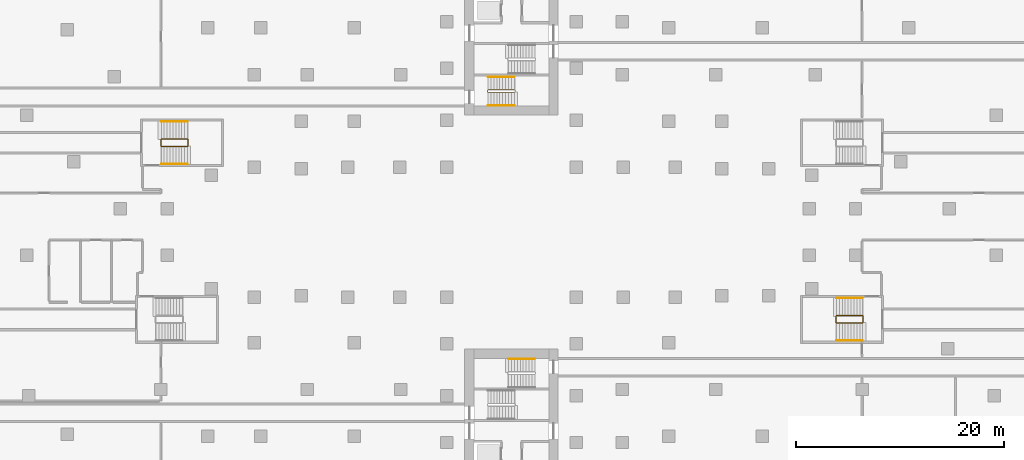
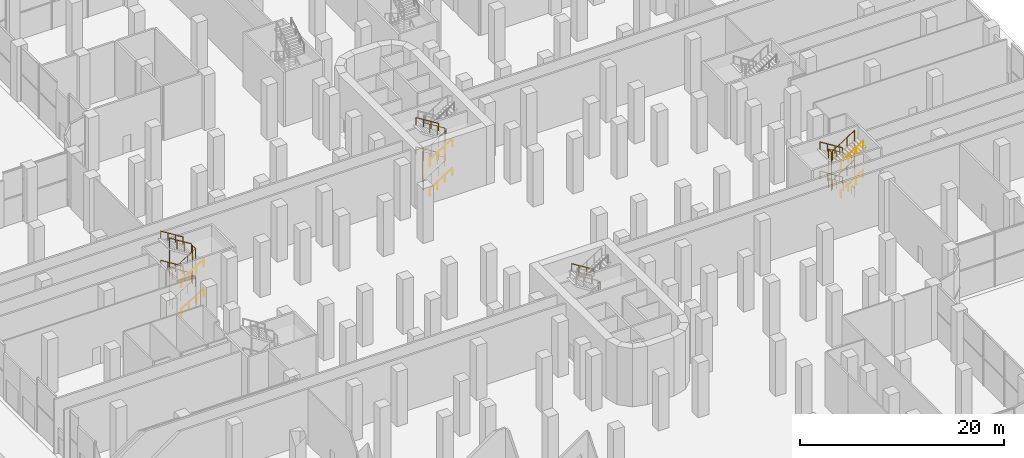
# One storey, part 31 of 34: 20 railings.
"""IFC4 building model written with IfcOpenShell, lengths in metres."""

from ifc_helpers import new_model, si_unit, direction, frame, origin, origin_2d, place, context, subcontext, project, spatial, circle, extrude, material, type_object, element, save


model = new_model("IFC4")

# Units and contexts
model_context = context("Model", 3, precision=1e-05, world=origin(), true_north=direction((0.0, 1.0)))
body_context = subcontext(model_context, "Body", "Model", "MODEL_VIEW")
ifc_project = project(units=[si_unit("LENGTHUNIT", "METRE"), si_unit("AREAUNIT", "SQUARE_METRE"), si_unit("VOLUMEUNIT", "CUBIC_METRE"), si_unit("PLANEANGLEUNIT", "RADIAN"), si_unit("MASSUNIT", "GRAM", prefix="KILO")], contexts=[model_context])

# Site, building, storey
site_placement = place(None, origin())
site = spatial("IfcSite", under=ifc_project, at=site_placement, CompositionType="ELEMENT")
building_placement = place(site_placement, origin())
building = spatial("IfcBuilding", under=site, at=building_placement, Name="Zarbagh Exchange Tower", CompositionType="ELEMENT")
storey_placement = place(building_placement, origin())
storey = spatial("IfcBuildingStorey", under=building, at=storey_placement, Name="L00", CompositionType="ELEMENT", Elevation=0.0)

# Railings
ifc_material = material(Name="Stainless steel", Category="steel")
railing_type_1 = type_object("IfcRailingType", Name="Stair guard 1100 mm", PredefinedType="GUARDRAIL", material=ifc_material)
railing_1_placement = place(storey_placement, frame((-2.25, 13.449951171875, 0.175048828125)))
element("IfcRailing", 1, at=railing_1_placement, inside=storey, type_object=railing_type_1, Name="ST2 stair guard 1", PredefinedType="GUARDRAIL", context=body_context, shape_type="SweptSolid", body=[
    extrude(circle(Radius=0.02392578125, at=origin_2d()), frame((0.0, 0.0, 1.076171875), z_axis=(0.848007534815, 0.0, 0.529984170421), x_axis=(0.0, 1.0, 0.0)), (0.0, 0.0, 1.0), 2.9716796875),
    extrude(circle(Radius=0.02392578125, at=origin_2d()), frame((2.52001953125, 0.0, 2.65087890625), z_axis=(0.0, 0.0, 1.0), x_axis=(1.0, 0.0, 0.0)), (0.0, 0.0, 1.0), 3.5),
    extrude(circle(Radius=0.02392578125, at=origin_2d()), frame((2.52001953125, 0.0, 6.15087890625), z_axis=(-0.848007534815, 0.0, -0.529984170421), x_axis=(0.0, -1.0, 0.0)), (0.0, 0.0, 1.0), 2.9716796875),
    extrude(circle(Radius=0.02392578125, at=origin_2d()), frame((0.0, 0.0, 4.576171875), z_axis=(-0.265065253269, 0.265065253269, -0.927081885822), x_axis=(-0.707106781187, -0.707106781187, 0.0)), (0.0, 0.0, 1.0), 0.188720703125),
    extrude(circle(Radius=0.02392578125, at=origin_2d()), frame((-0.050048828125, 0.050048828125, 4.40087890625), z_axis=(0.0, 1.0, 0.0), x_axis=(-1.0, 0.0, 0.0)), (0.0, 0.0, 1.0), 0.14990234375),
    extrude(circle(Radius=0.02392578125, at=origin_2d()), frame((-0.050048828125, 0.199951171875, 4.40087890625), z_axis=(0.0, 0.0, -1.0), x_axis=(1.0, 0.0, 0.0)), (0.0, 0.0, 1.0), 3.5),
    extrude(circle(Radius=0.02392578125, at=origin_2d()), frame((-0.050048828125, 0.199951171875, 0.90087890625), z_axis=(0.0, -1.0, 0.0), x_axis=(1.0, 0.0, 0.0)), (0.0, 0.0, 1.0), 0.14990234375),
    extrude(circle(Radius=0.02392578125, at=origin_2d()), frame((-0.050048828125, 0.050048828125, 0.90087890625), z_axis=(0.014274932499, 0.057030096177, 0.998270401461), x_axis=(-0.970072785993, 0.242814311512, 0.0)), (0.0, 0.0, 1.0), 3.506103515625),
    extrude(circle(Radius=0.02392578125, at=origin_2d()), frame((0.0, 0.25, 4.40087890625), z_axis=(0.848007534815, 0.0, -0.529984170421), x_axis=(0.0, 1.0, 0.0)), (0.0, 0.0, 1.0), 2.9716796875),
    extrude(circle(Radius=0.02392578125, at=origin_2d()), frame((2.52001953125, 0.25, 2.826171875), z_axis=(0.0, 0.0, 1.0), x_axis=(1.0, 0.0, 0.0)), (0.0, 0.0, 1.0), 3.5),
    extrude(circle(Radius=0.02392578125, at=origin_2d()), frame((2.52001953125, 0.25, 6.326171875), z_axis=(-0.848007534815, 0.0, 0.529984170421), x_axis=(0.0, -1.0, 0.0)), (0.0, 0.0, 1.0), 2.9716796875),
    extrude(circle(Radius=0.02099609375, at=origin_2d()), origin(), (0.0, 0.0, 1.0), 1.052001953125),
    extrude(circle(Radius=0.02099609375, at=origin_2d()), frame((0.840087890625, 0.0, 0.52490234375)), (0.0, 0.0, 1.0), 1.052001953125),
    extrude(circle(Radius=0.02099609375, at=origin_2d()), frame((1.679931640625, 0.0, 1.050048828125)), (0.0, 0.0, 1.0), 1.052001953125),
    extrude(circle(Radius=0.02099609375, at=origin_2d()), frame((2.52001953125, 0.0, 1.574951171875)), (0.0, 0.0, 1.0), 1.052001953125),
    extrude(circle(Radius=0.02099609375, at=origin_2d()), frame((2.52001953125, 0.0, 2.74169921875)), (0.0, 0.0, 1.0), 1.052001953125),
    extrude(circle(Radius=0.02099609375, at=origin_2d()), frame((2.52001953125, 0.0, 3.908203125)), (0.0, 0.0, 1.0), 1.052001953125),
    extrude(circle(Radius=0.02099609375, at=origin_2d()), frame((2.52001953125, 0.0, 5.074951171875)), (0.0, 0.0, 1.0), 1.052001953125),
    extrude(circle(Radius=0.02099609375, at=origin_2d()), frame((1.679931640625, 0.0, 4.550048828125)), (0.0, 0.0, 1.0), 1.052001953125),
    extrude(circle(Radius=0.02099609375, at=origin_2d()), frame((0.840087890625, 0.0, 4.02490234375)), (0.0, 0.0, 1.0), 1.052001953125),
    extrude(circle(Radius=0.02099609375, at=origin_2d()), frame((0.0, 0.0, 3.5)), (0.0, 0.0, 1.0), 1.052001953125),
    extrude(circle(Radius=0.02099609375, at=origin_2d()), frame((-0.050048828125, 0.050048828125, 3.324951171875)), (0.0, 0.0, 1.0), 1.052001953125),
    extrude(circle(Radius=0.02099609375, at=origin_2d()), frame((-0.050048828125, 0.199951171875, 3.324951171875)), (0.0, 0.0, 1.0), 1.052001953125),
    extrude(circle(Radius=0.02099609375, at=origin_2d()), frame((-0.050048828125, 0.199951171875, 2.158203125)), (0.0, 0.0, 1.0), 1.052001953125),
    extrude(circle(Radius=0.02099609375, at=origin_2d()), frame((-0.050048828125, 0.199951171875, 0.99169921875)), (0.0, 0.0, 1.0), 1.052001953125),
    extrude(circle(Radius=0.02099609375, at=origin_2d()), frame((-0.050048828125, 0.199951171875, -0.175048828125)), (0.0, 0.0, 1.0), 1.052001953125),
    extrude(circle(Radius=0.02099609375, at=origin_2d()), frame((-0.050048828125, 0.050048828125, -0.175048828125)), (0.0, 0.0, 1.0), 1.052001953125),
    extrude(circle(Radius=0.02099609375, at=origin_2d()), frame((-0.033447265625, 0.11669921875, 0.99169921875)), (0.0, 0.0, 1.0), 1.052001953125),
    extrude(circle(Radius=0.02099609375, at=origin_2d()), frame((-0.0166015625, 0.183349609375, 2.158203125)), (0.0, 0.0, 1.0), 1.052001953125),
    extrude(circle(Radius=0.02099609375, at=origin_2d()), frame((0.0, 0.25, 3.324951171875)), (0.0, 0.0, 1.0), 1.052001953125),
    extrude(circle(Radius=0.02099609375, at=origin_2d()), frame((0.840087890625, 0.25, 2.800048828125)), (0.0, 0.0, 1.0), 1.052001953125),
    extrude(circle(Radius=0.02099609375, at=origin_2d()), frame((1.679931640625, 0.25, 2.27490234375)), (0.0, 0.0, 1.0), 1.052001953125),
    extrude(circle(Radius=0.02099609375, at=origin_2d()), frame((2.52001953125, 0.25, 1.75)), (0.0, 0.0, 1.0), 1.052001953125),
    extrude(circle(Radius=0.02099609375, at=origin_2d()), frame((2.52001953125, 0.25, 2.916748046875)), (0.0, 0.0, 1.0), 1.052001953125),
    extrude(circle(Radius=0.02099609375, at=origin_2d()), frame((2.52001953125, 0.25, 4.083251953125)), (0.0, 0.0, 1.0), 1.052001953125),
    extrude(circle(Radius=0.02099609375, at=origin_2d()), frame((2.52001953125, 0.25, 5.25)), (0.0, 0.0, 1.0), 1.052001953125),
    extrude(circle(Radius=0.02099609375, at=origin_2d()), frame((1.679931640625, 0.25, 5.77490234375)), (0.0, 0.0, 1.0), 1.052001953125),
    extrude(circle(Radius=0.02099609375, at=origin_2d()), frame((0.840087890625, 0.25, 6.300048828125)), (0.0, 0.0, 1.0), 1.052001953125),
    extrude(circle(Radius=0.02099609375, at=origin_2d()), frame((0.0, 0.25, 6.824951171875)), (0.0, 0.0, 1.0), 1.052001953125),
])
railing_2_placement = place(storey_placement, frame((-33.699951171875, 8.25, 0.175048828125)))
element("IfcRailing", 2, at=railing_2_placement, inside=storey, type_object=railing_type_1, Name="PS5 stair guard 1", PredefinedType="GUARDRAIL", context=body_context, shape_type="SweptSolid", body=[
    extrude(circle(Radius=0.02392578125, at=origin_2d()), frame((0.0, 0.0, 1.076171875), z_axis=(0.848007534815, 0.0, 0.529984170421), x_axis=(0.0, 1.0, 0.0)), (0.0, 0.0, 1.0), 2.9716796875),
    extrude(circle(Radius=0.02392578125, at=origin_2d()), frame((2.52001953125, 0.0, 2.65087890625), z_axis=(0.0, 0.0, 1.0), x_axis=(1.0, 0.0, 0.0)), (0.0, 0.0, 1.0), 3.5),
    extrude(circle(Radius=0.02392578125, at=origin_2d()), frame((2.52001953125, 0.0, 6.15087890625), z_axis=(-0.848007534815, 0.0, -0.529984170421), x_axis=(0.0, -1.0, 0.0)), (0.0, 0.0, 1.0), 2.9716796875),
    extrude(circle(Radius=0.02392578125, at=origin_2d()), frame((0.0, 0.0, 4.576171875), z_axis=(-0.265065253269, 0.265065253269, -0.927081885822), x_axis=(-0.707106781187, -0.707106781187, 0.0)), (0.0, 0.0, 1.0), 0.188720703125),
    extrude(circle(Radius=0.02392578125, at=origin_2d()), frame((-0.050048828125, 0.050048828125, 4.40087890625), z_axis=(0.0, 1.0, 0.0), x_axis=(-1.0, 0.0, 0.0)), (0.0, 0.0, 1.0), 0.599853515625),
    extrude(circle(Radius=0.02392578125, at=origin_2d()), frame((-0.050048828125, 0.64990234375, 4.40087890625), z_axis=(0.0, 0.0, -1.0), x_axis=(1.0, 0.0, 0.0)), (0.0, 0.0, 1.0), 3.5),
    extrude(circle(Radius=0.02392578125, at=origin_2d()), frame((-0.050048828125, 0.64990234375, 0.90087890625), z_axis=(0.0, -1.0, 0.0), x_axis=(1.0, 0.0, 0.0)), (0.0, 0.0, 1.0), 0.599853515625),
    extrude(circle(Radius=0.02099609375, at=origin_2d()), origin(), (0.0, 0.0, 1.0), 1.052001953125),
    extrude(circle(Radius=0.02099609375, at=origin_2d()), frame((0.840087890625, 0.0, 0.52490234375)), (0.0, 0.0, 1.0), 1.052001953125),
    extrude(circle(Radius=0.02099609375, at=origin_2d()), frame((1.679931640625, 0.0, 1.050048828125)), (0.0, 0.0, 1.0), 1.052001953125),
    extrude(circle(Radius=0.02099609375, at=origin_2d()), frame((2.52001953125, 0.0, 1.574951171875)), (0.0, 0.0, 1.0), 1.052001953125),
    extrude(circle(Radius=0.02099609375, at=origin_2d()), frame((2.52001953125, 0.0, 2.74169921875)), (0.0, 0.0, 1.0), 1.052001953125),
    extrude(circle(Radius=0.02099609375, at=origin_2d()), frame((2.52001953125, 0.0, 3.908203125)), (0.0, 0.0, 1.0), 1.052001953125),
    extrude(circle(Radius=0.02099609375, at=origin_2d()), frame((2.52001953125, 0.0, 5.074951171875)), (0.0, 0.0, 1.0), 1.052001953125),
    extrude(circle(Radius=0.02099609375, at=origin_2d()), frame((1.679931640625, 0.0, 4.550048828125)), (0.0, 0.0, 1.0), 1.052001953125),
    extrude(circle(Radius=0.02099609375, at=origin_2d()), frame((0.840087890625, 0.0, 4.02490234375)), (0.0, 0.0, 1.0), 1.052001953125),
    extrude(circle(Radius=0.02099609375, at=origin_2d()), frame((0.0, 0.0, 3.5)), (0.0, 0.0, 1.0), 1.052001953125),
    extrude(circle(Radius=0.02099609375, at=origin_2d()), frame((-0.050048828125, 0.050048828125, 3.324951171875)), (0.0, 0.0, 1.0), 1.052001953125),
    extrude(circle(Radius=0.02099609375, at=origin_2d()), frame((-0.050048828125, 0.64990234375, 3.324951171875)), (0.0, 0.0, 1.0), 1.052001953125),
    extrude(circle(Radius=0.02099609375, at=origin_2d()), frame((-0.050048828125, 0.64990234375, 2.158203125)), (0.0, 0.0, 1.0), 1.052001953125),
    extrude(circle(Radius=0.02099609375, at=origin_2d()), frame((-0.050048828125, 0.64990234375, 0.99169921875)), (0.0, 0.0, 1.0), 1.052001953125),
    extrude(circle(Radius=0.02099609375, at=origin_2d()), frame((-0.050048828125, 0.64990234375, -0.175048828125)), (0.0, 0.0, 1.0), 1.052001953125),
    extrude(circle(Radius=0.02099609375, at=origin_2d()), frame((-0.050048828125, 0.050048828125, -0.175048828125)), (0.0, 0.0, 1.0), 1.052001953125),
])
railing_3_placement = place(storey_placement, frame((-31.1298828125, 8.300048828125, 1.75)))
element("IfcRailing", 3, at=railing_3_placement, inside=storey, type_object=railing_type_1, Name="PS5 stair guard 2", PredefinedType="GUARDRAIL", context=body_context, shape_type="SweptSolid", body=[
    extrude(circle(Radius=0.02392578125, at=origin_2d()), frame((0.0, 0.0, 1.076171875), z_axis=(0.0, 1.0, 0.0), x_axis=(-1.0, 0.0, 0.0)), (0.0, 0.0, 1.0), 0.599853515625),
    extrude(circle(Radius=0.02392578125, at=origin_2d()), frame((0.0, 0.599853515625, 1.076171875), z_axis=(0.0, 0.0, 1.0), x_axis=(1.0, 0.0, 0.0)), (0.0, 0.0, 1.0), 3.5),
    extrude(circle(Radius=0.02392578125, at=origin_2d()), frame((0.0, 0.599853515625, 4.576171875), z_axis=(0.0, -1.0, 0.0), x_axis=(1.0, 0.0, 0.0)), (0.0, 0.0, 1.0), 0.599853515625),
    extrude(circle(Radius=0.02099609375, at=origin_2d()), origin(), (0.0, 0.0, 1.0), 1.052001953125),
    extrude(circle(Radius=0.02099609375, at=origin_2d()), frame((0.0, 0.599853515625, 0.0)), (0.0, 0.0, 1.0), 1.052001953125),
    extrude(circle(Radius=0.02099609375, at=origin_2d()), frame((0.0, 0.599853515625, 1.166748046875)), (0.0, 0.0, 1.0), 1.052001953125),
    extrude(circle(Radius=0.02099609375, at=origin_2d()), frame((0.0, 0.599853515625, 2.333251953125)), (0.0, 0.0, 1.0), 1.052001953125),
    extrude(circle(Radius=0.02099609375, at=origin_2d()), frame((0.0, 0.599853515625, 3.5)), (0.0, 0.0, 1.0), 1.052001953125),
    extrude(circle(Radius=0.02099609375, at=origin_2d()), frame((0.0, 0.0, 3.5)), (0.0, 0.0, 1.0), 1.052001953125),
])
railing_4_placement = place(storey_placement, frame((-31.179931640625, 8.949951171875, 1.925048828125)))
element("IfcRailing", 4, at=railing_4_placement, inside=storey, type_object=railing_type_1, Name="PS5 stair guard 3", PredefinedType="GUARDRAIL", context=body_context, shape_type="SweptSolid", body=[
    extrude(circle(Radius=0.02392578125, at=origin_2d()), frame((0.0, 0.0, 1.076171875), z_axis=(-0.848007534815, 0.0, 0.529984170421), x_axis=(0.0, -1.0, 0.0)), (0.0, 0.0, 1.0), 2.9716796875),
    extrude(circle(Radius=0.02392578125, at=origin_2d()), frame((-2.52001953125, 0.0, 2.65087890625), z_axis=(0.0, 0.0, 1.0), x_axis=(1.0, 0.0, 0.0)), (0.0, 0.0, 1.0), 3.5),
    extrude(circle(Radius=0.02392578125, at=origin_2d()), frame((-2.52001953125, 0.0, 6.15087890625), z_axis=(0.848007534815, 0.0, -0.529984170421), x_axis=(0.0, 1.0, 0.0)), (0.0, 0.0, 1.0), 2.9716796875),
    extrude(circle(Radius=0.02099609375, at=origin_2d()), origin(), (0.0, 0.0, 1.0), 1.052001953125),
    extrude(circle(Radius=0.02099609375, at=origin_2d()), frame((-0.840087890625, 0.0, 0.52490234375)), (0.0, 0.0, 1.0), 1.052001953125),
    extrude(circle(Radius=0.02099609375, at=origin_2d()), frame((-1.679931640625, 0.0, 1.050048828125)), (0.0, 0.0, 1.0), 1.052001953125),
    extrude(circle(Radius=0.02099609375, at=origin_2d()), frame((-2.52001953125, 0.0, 1.574951171875)), (0.0, 0.0, 1.0), 1.052001953125),
    extrude(circle(Radius=0.02099609375, at=origin_2d()), frame((-2.52001953125, 0.0, 2.74169921875)), (0.0, 0.0, 1.0), 1.052001953125),
    extrude(circle(Radius=0.02099609375, at=origin_2d()), frame((-2.52001953125, 0.0, 3.908203125)), (0.0, 0.0, 1.0), 1.052001953125),
    extrude(circle(Radius=0.02099609375, at=origin_2d()), frame((-2.52001953125, 0.0, 5.074951171875)), (0.0, 0.0, 1.0), 1.052001953125),
    extrude(circle(Radius=0.02099609375, at=origin_2d()), frame((-1.679931640625, 0.0, 4.550048828125)), (0.0, 0.0, 1.0), 1.052001953125),
    extrude(circle(Radius=0.02099609375, at=origin_2d()), frame((-0.840087890625, 0.0, 4.02490234375)), (0.0, 0.0, 1.0), 1.052001953125),
    extrude(circle(Radius=0.02099609375, at=origin_2d()), frame((0.0, 0.0, 3.5)), (0.0, 0.0, 1.0), 1.052001953125),
])
railing_5_placement = place(storey_placement, frame((33.800048828125, -8.050048828125, 0.175048828125)))
element("IfcRailing", 5, at=railing_5_placement, inside=storey, type_object=railing_type_1, Name="PS6 stair guard 1", PredefinedType="GUARDRAIL", context=body_context, shape_type="SweptSolid", body=[
    extrude(circle(Radius=0.02392578125, at=origin_2d()), frame((0.0, 0.0, 1.076171875), z_axis=(-0.848007534815, 0.0, 0.529984170421), x_axis=(0.0, -1.0, 0.0)), (0.0, 0.0, 1.0), 2.9716796875),
    extrude(circle(Radius=0.02392578125, at=origin_2d()), frame((-2.52001953125, 0.0, 2.65087890625), z_axis=(0.0, 0.0, 1.0), x_axis=(1.0, 0.0, 0.0)), (0.0, 0.0, 1.0), 3.5),
    extrude(circle(Radius=0.02392578125, at=origin_2d()), frame((-2.52001953125, 0.0, 6.15087890625), z_axis=(0.848007534815, 0.0, -0.529984170421), x_axis=(0.0, 1.0, 0.0)), (0.0, 0.0, 1.0), 2.9716796875),
    extrude(circle(Radius=0.02392578125, at=origin_2d()), frame((0.0, 0.0, 4.576171875), z_axis=(0.265065253269, -0.265065253269, -0.927081885822), x_axis=(0.707106781187, 0.707106781187, 0.0)), (0.0, 0.0, 1.0), 0.188720703125),
    extrude(circle(Radius=0.02392578125, at=origin_2d()), frame((0.050048828125, -0.050048828125, 4.40087890625), z_axis=(0.0, -1.0, 0.0), x_axis=(1.0, 0.0, 0.0)), (0.0, 0.0, 1.0), 0.599853515625),
    extrude(circle(Radius=0.02392578125, at=origin_2d()), frame((0.050048828125, -0.64990234375, 4.40087890625), z_axis=(0.0, 0.0, -1.0), x_axis=(1.0, 0.0, 0.0)), (0.0, 0.0, 1.0), 3.5),
    extrude(circle(Radius=0.02392578125, at=origin_2d()), frame((0.050048828125, -0.64990234375, 0.90087890625), z_axis=(0.0, 1.0, 0.0), x_axis=(-1.0, 0.0, 0.0)), (0.0, 0.0, 1.0), 0.599853515625),
    extrude(circle(Radius=0.02099609375, at=origin_2d()), origin(), (0.0, 0.0, 1.0), 1.052001953125),
    extrude(circle(Radius=0.02099609375, at=origin_2d()), frame((-0.840087890625, 0.0, 0.52490234375)), (0.0, 0.0, 1.0), 1.052001953125),
    extrude(circle(Radius=0.02099609375, at=origin_2d()), frame((-1.679931640625, 0.0, 1.050048828125)), (0.0, 0.0, 1.0), 1.052001953125),
    extrude(circle(Radius=0.02099609375, at=origin_2d()), frame((-2.52001953125, 0.0, 1.574951171875)), (0.0, 0.0, 1.0), 1.052001953125),
    extrude(circle(Radius=0.02099609375, at=origin_2d()), frame((-2.52001953125, 0.0, 2.74169921875)), (0.0, 0.0, 1.0), 1.052001953125),
    extrude(circle(Radius=0.02099609375, at=origin_2d()), frame((-2.52001953125, 0.0, 3.908203125)), (0.0, 0.0, 1.0), 1.052001953125),
    extrude(circle(Radius=0.02099609375, at=origin_2d()), frame((-2.52001953125, 0.0, 5.074951171875)), (0.0, 0.0, 1.0), 1.052001953125),
    extrude(circle(Radius=0.02099609375, at=origin_2d()), frame((-1.679931640625, 0.0, 4.550048828125)), (0.0, 0.0, 1.0), 1.052001953125),
    extrude(circle(Radius=0.02099609375, at=origin_2d()), frame((-0.840087890625, 0.0, 4.02490234375)), (0.0, 0.0, 1.0), 1.052001953125),
    extrude(circle(Radius=0.02099609375, at=origin_2d()), frame((0.0, 0.0, 3.5)), (0.0, 0.0, 1.0), 1.052001953125),
    extrude(circle(Radius=0.02099609375, at=origin_2d()), frame((0.050048828125, -0.050048828125, 3.324951171875)), (0.0, 0.0, 1.0), 1.052001953125),
    extrude(circle(Radius=0.02099609375, at=origin_2d()), frame((0.050048828125, -0.64990234375, 3.324951171875)), (0.0, 0.0, 1.0), 1.052001953125),
    extrude(circle(Radius=0.02099609375, at=origin_2d()), frame((0.050048828125, -0.64990234375, 2.158203125)), (0.0, 0.0, 1.0), 1.052001953125),
    extrude(circle(Radius=0.02099609375, at=origin_2d()), frame((0.050048828125, -0.64990234375, 0.99169921875)), (0.0, 0.0, 1.0), 1.052001953125),
    extrude(circle(Radius=0.02099609375, at=origin_2d()), frame((0.050048828125, -0.64990234375, -0.175048828125)), (0.0, 0.0, 1.0), 1.052001953125),
    extrude(circle(Radius=0.02099609375, at=origin_2d()), frame((0.050048828125, -0.050048828125, -0.175048828125)), (0.0, 0.0, 1.0), 1.052001953125),
])
railing_6_placement = place(storey_placement, frame((31.22998046875, -8.10009765625, 1.75)))
element("IfcRailing", 6, at=railing_6_placement, inside=storey, type_object=railing_type_1, Name="PS6 stair guard 2", PredefinedType="GUARDRAIL", context=body_context, shape_type="SweptSolid", body=[
    extrude(circle(Radius=0.02392578125, at=origin_2d()), frame((0.0, 0.0, 1.076171875), z_axis=(0.0, -1.0, 0.0), x_axis=(1.0, 0.0, 0.0)), (0.0, 0.0, 1.0), 0.599853515625),
    extrude(circle(Radius=0.02392578125, at=origin_2d()), frame((0.0, -0.599853515625, 1.076171875), z_axis=(0.0, 0.0, 1.0), x_axis=(1.0, 0.0, 0.0)), (0.0, 0.0, 1.0), 3.5),
    extrude(circle(Radius=0.02392578125, at=origin_2d()), frame((0.0, -0.599853515625, 4.576171875), z_axis=(0.0, 1.0, 0.0), x_axis=(-1.0, 0.0, 0.0)), (0.0, 0.0, 1.0), 0.599853515625),
    extrude(circle(Radius=0.02099609375, at=origin_2d()), origin(), (0.0, 0.0, 1.0), 1.052001953125),
    extrude(circle(Radius=0.02099609375, at=origin_2d()), frame((0.0, -0.599853515625, 0.0)), (0.0, 0.0, 1.0), 1.052001953125),
    extrude(circle(Radius=0.02099609375, at=origin_2d()), frame((0.0, -0.599853515625, 1.166748046875)), (0.0, 0.0, 1.0), 1.052001953125),
    extrude(circle(Radius=0.02099609375, at=origin_2d()), frame((0.0, -0.599853515625, 2.333251953125)), (0.0, 0.0, 1.0), 1.052001953125),
    extrude(circle(Radius=0.02099609375, at=origin_2d()), frame((0.0, -0.599853515625, 3.5)), (0.0, 0.0, 1.0), 1.052001953125),
    extrude(circle(Radius=0.02099609375, at=origin_2d()), frame((0.0, 0.0, 3.5)), (0.0, 0.0, 1.0), 1.052001953125),
])
railing_7_placement = place(storey_placement, frame((31.280029296875, -8.75, 1.925048828125)))
element("IfcRailing", 7, at=railing_7_placement, inside=storey, type_object=railing_type_1, Name="PS6 stair guard 3", PredefinedType="GUARDRAIL", context=body_context, shape_type="SweptSolid", body=[
    extrude(circle(Radius=0.02392578125, at=origin_2d()), frame((0.0, 0.0, 1.076171875), z_axis=(0.848007534815, 0.0, 0.529984170421), x_axis=(0.0, 1.0, 0.0)), (0.0, 0.0, 1.0), 2.9716796875),
    extrude(circle(Radius=0.02392578125, at=origin_2d()), frame((2.52001953125, 0.0, 2.65087890625), z_axis=(0.0, 0.0, 1.0), x_axis=(1.0, 0.0, 0.0)), (0.0, 0.0, 1.0), 3.5),
    extrude(circle(Radius=0.02392578125, at=origin_2d()), frame((2.52001953125, 0.0, 6.15087890625), z_axis=(-0.848007534815, 0.0, -0.529984170421), x_axis=(0.0, -1.0, 0.0)), (0.0, 0.0, 1.0), 2.9716796875),
    extrude(circle(Radius=0.02099609375, at=origin_2d()), origin(), (0.0, 0.0, 1.0), 1.052001953125),
    extrude(circle(Radius=0.02099609375, at=origin_2d()), frame((0.840087890625, 0.0, 0.52490234375)), (0.0, 0.0, 1.0), 1.052001953125),
    extrude(circle(Radius=0.02099609375, at=origin_2d()), frame((1.679931640625, 0.0, 1.050048828125)), (0.0, 0.0, 1.0), 1.052001953125),
    extrude(circle(Radius=0.02099609375, at=origin_2d()), frame((2.52001953125, 0.0, 1.574951171875)), (0.0, 0.0, 1.0), 1.052001953125),
    extrude(circle(Radius=0.02099609375, at=origin_2d()), frame((2.52001953125, 0.0, 2.74169921875)), (0.0, 0.0, 1.0), 1.052001953125),
    extrude(circle(Radius=0.02099609375, at=origin_2d()), frame((2.52001953125, 0.0, 3.908203125)), (0.0, 0.0, 1.0), 1.052001953125),
    extrude(circle(Radius=0.02099609375, at=origin_2d()), frame((2.52001953125, 0.0, 5.074951171875)), (0.0, 0.0, 1.0), 1.052001953125),
    extrude(circle(Radius=0.02099609375, at=origin_2d()), frame((1.679931640625, 0.0, 4.550048828125)), (0.0, 0.0, 1.0), 1.052001953125),
    extrude(circle(Radius=0.02099609375, at=origin_2d()), frame((0.840087890625, 0.0, 4.02490234375)), (0.0, 0.0, 1.0), 1.052001953125),
    extrude(circle(Radius=0.02099609375, at=origin_2d()), frame((0.0, 0.0, 3.5)), (0.0, 0.0, 1.0), 1.052001953125),
])
railing_type_2 = type_object("IfcRailingType", Name="Stair handrail 900 mm", PredefinedType="HANDRAIL", material=ifc_material)
railing_8_placement = place(storey_placement, frame((-2.25, 12.199951171875, 0.175048828125)))
element("IfcRailing", 8, at=railing_8_placement, inside=storey, type_object=railing_type_2, Name="ST2 stair handrail 1", PredefinedType="HANDRAIL", context=body_context, shape_type="SweptSolid", body=[
    extrude(circle(Radius=0.02392578125, at=origin_2d()), frame((0.0, 0.0, 0.8759765625), z_axis=(0.848007534815, 0.0, 0.529984170421), x_axis=(0.0, 1.0, 0.0)), (0.0, 0.0, 1.0), 2.9716796875),
    extrude(circle(Radius=0.02099609375, at=origin_2d()), origin(), (0.0, 0.0, 1.0), 0.851806640625),
    extrude(circle(Radius=0.02099609375, at=origin_2d()), frame((0.840087890625, 0.0, 0.52490234375)), (0.0, 0.0, 1.0), 0.851806640625),
    extrude(circle(Radius=0.02099609375, at=origin_2d()), frame((1.679931640625, 0.0, 1.050048828125)), (0.0, 0.0, 1.0), 0.851806640625),
    extrude(circle(Radius=0.02099609375, at=origin_2d()), frame((2.52001953125, 0.0, 1.574951171875)), (0.0, 0.0, 1.0), 0.851806640625),
])
railing_9_placement = place(storey_placement, frame((0.27001953125, 14.949951171875, 1.925048828125)))
element("IfcRailing", 9, at=railing_9_placement, inside=storey, type_object=railing_type_2, Name="ST2 stair handrail 2", PredefinedType="HANDRAIL", context=body_context, shape_type="SweptSolid", body=[
    extrude(circle(Radius=0.02392578125, at=origin_2d()), frame((0.0, 0.0, 0.8759765625), z_axis=(-0.848007534815, 0.0, 0.529984170421), x_axis=(0.0, -1.0, 0.0)), (0.0, 0.0, 1.0), 2.9716796875),
    extrude(circle(Radius=0.02099609375, at=origin_2d()), origin(), (0.0, 0.0, 1.0), 0.851806640625),
    extrude(circle(Radius=0.02099609375, at=origin_2d()), frame((-0.840087890625, 0.0, 0.52490234375)), (0.0, 0.0, 1.0), 0.851806640625),
    extrude(circle(Radius=0.02099609375, at=origin_2d()), frame((-1.679931640625, 0.0, 1.050048828125)), (0.0, 0.0, 1.0), 0.851806640625),
    extrude(circle(Radius=0.02099609375, at=origin_2d()), frame((-2.52001953125, 0.0, 1.574951171875)), (0.0, 0.0, 1.0), 0.851806640625),
])
railing_10_placement = place(storey_placement, frame((-2.25, 12.199951171875, 3.675048828125)))
element("IfcRailing", 10, at=railing_10_placement, inside=storey, type_object=railing_type_2, Name="ST2 stair handrail 3", PredefinedType="HANDRAIL", context=body_context, shape_type="SweptSolid", body=[
    extrude(circle(Radius=0.02392578125, at=origin_2d()), frame((0.0, 0.0, 0.8759765625), z_axis=(0.848007534815, 0.0, 0.529984170421), x_axis=(0.0, 1.0, 0.0)), (0.0, 0.0, 1.0), 2.9716796875),
    extrude(circle(Radius=0.02099609375, at=origin_2d()), origin(), (0.0, 0.0, 1.0), 0.851806640625),
    extrude(circle(Radius=0.02099609375, at=origin_2d()), frame((0.840087890625, 0.0, 0.52490234375)), (0.0, 0.0, 1.0), 0.851806640625),
    extrude(circle(Radius=0.02099609375, at=origin_2d()), frame((1.679931640625, 0.0, 1.050048828125)), (0.0, 0.0, 1.0), 0.851806640625),
    extrude(circle(Radius=0.02099609375, at=origin_2d()), frame((2.52001953125, 0.0, 1.574951171875)), (0.0, 0.0, 1.0), 0.851806640625),
])
for number, where, name in (
    (11, (0.27001953125, 14.949951171875, 5.425048828125), "ST2 stair handrail 4"),
    (12, (2.25, -12.199951171875, 3.675048828125), "ST4 stair handrail 3"),
):
    element("IfcRailing", number, at=place(storey_placement, frame(where)), inside=storey, type_object=railing_type_2, Name=name, PredefinedType="HANDRAIL", context=body_context, shape_type="SweptSolid", body=[
        extrude(circle(Radius=0.02392578125, at=origin_2d()), frame((0.0, 0.0, 0.8759765625), z_axis=(-0.848007534815, 0.0, 0.529984170421), x_axis=(0.0, -1.0, 0.0)), (0.0, 0.0, 1.0), 2.9716796875),
        extrude(circle(Radius=0.02099609375, at=origin_2d()), origin(), (0.0, 0.0, 1.0), 0.851806640625),
        extrude(circle(Radius=0.02099609375, at=origin_2d()), frame((-0.840087890625, 0.0, 0.52490234375)), (0.0, 0.0, 1.0), 0.851806640625),
        extrude(circle(Radius=0.02099609375, at=origin_2d()), frame((-1.679931640625, 0.0, 1.050048828125)), (0.0, 0.0, 1.0), 0.851806640625),
        extrude(circle(Radius=0.02099609375, at=origin_2d()), frame((-2.52001953125, 0.0, 1.574951171875)), (0.0, 0.0, 1.0), 0.851806640625),
    ])
railing_11_placement = place(storey_placement, frame((-33.699951171875, 6.550048828125, 0.175048828125)))
element("IfcRailing", 13, at=railing_11_placement, inside=storey, type_object=railing_type_2, Name="PS5 stair handrail 1", PredefinedType="HANDRAIL", context=body_context, shape_type="SweptSolid", body=[
    extrude(circle(Radius=0.02392578125, at=origin_2d()), frame((0.0, 0.0, 0.8759765625), z_axis=(0.848007534815, 0.0, 0.529984170421), x_axis=(0.0, 1.0, 0.0)), (0.0, 0.0, 1.0), 2.9716796875),
    extrude(circle(Radius=0.02099609375, at=origin_2d()), origin(), (0.0, 0.0, 1.0), 0.851806640625),
    extrude(circle(Radius=0.02099609375, at=origin_2d()), frame((0.840087890625, 0.0, 0.52490234375)), (0.0, 0.0, 1.0), 0.851806640625),
    extrude(circle(Radius=0.02099609375, at=origin_2d()), frame((1.679931640625, 0.0, 1.050048828125)), (0.0, 0.0, 1.0), 0.851806640625),
    extrude(circle(Radius=0.02099609375, at=origin_2d()), frame((2.52001953125, 0.0, 1.574951171875)), (0.0, 0.0, 1.0), 0.851806640625),
])
railing_12_placement = place(storey_placement, frame((-31.179931640625, 10.64990234375, 1.925048828125)))
element("IfcRailing", 14, at=railing_12_placement, inside=storey, type_object=railing_type_2, Name="PS5 stair handrail 2", PredefinedType="HANDRAIL", context=body_context, shape_type="SweptSolid", body=[
    extrude(circle(Radius=0.02392578125, at=origin_2d()), frame((0.0, 0.0, 0.8759765625), z_axis=(-0.848007534815, 0.0, 0.529984170421), x_axis=(0.0, -1.0, 0.0)), (0.0, 0.0, 1.0), 2.9716796875),
    extrude(circle(Radius=0.02099609375, at=origin_2d()), origin(), (0.0, 0.0, 1.0), 0.851806640625),
    extrude(circle(Radius=0.02099609375, at=origin_2d()), frame((-0.840087890625, 0.0, 0.52490234375)), (0.0, 0.0, 1.0), 0.851806640625),
    extrude(circle(Radius=0.02099609375, at=origin_2d()), frame((-1.679931640625, 0.0, 1.050048828125)), (0.0, 0.0, 1.0), 0.851806640625),
    extrude(circle(Radius=0.02099609375, at=origin_2d()), frame((-2.52001953125, 0.0, 1.574951171875)), (0.0, 0.0, 1.0), 0.851806640625),
])
railing_13_placement = place(storey_placement, frame((-33.699951171875, 6.550048828125, 3.675048828125)))
element("IfcRailing", 15, at=railing_13_placement, inside=storey, type_object=railing_type_2, Name="PS5 stair handrail 3", PredefinedType="HANDRAIL", context=body_context, shape_type="SweptSolid", body=[
    extrude(circle(Radius=0.02392578125, at=origin_2d()), frame((0.0, 0.0, 0.8759765625), z_axis=(0.848007534815, 0.0, 0.529984170421), x_axis=(0.0, 1.0, 0.0)), (0.0, 0.0, 1.0), 2.9716796875),
    extrude(circle(Radius=0.02099609375, at=origin_2d()), origin(), (0.0, 0.0, 1.0), 0.851806640625),
    extrude(circle(Radius=0.02099609375, at=origin_2d()), frame((0.840087890625, 0.0, 0.52490234375)), (0.0, 0.0, 1.0), 0.851806640625),
    extrude(circle(Radius=0.02099609375, at=origin_2d()), frame((1.679931640625, 0.0, 1.050048828125)), (0.0, 0.0, 1.0), 0.851806640625),
    extrude(circle(Radius=0.02099609375, at=origin_2d()), frame((2.52001953125, 0.0, 1.574951171875)), (0.0, 0.0, 1.0), 0.851806640625),
])
for number, where, name in (
    (16, (-31.179931640625, 10.64990234375, 5.425048828125), "PS5 stair handrail 4"),
    (17, (33.800048828125, -6.35009765625, 0.175048828125), "PS6 stair handrail 1"),
):
    element("IfcRailing", number, at=place(storey_placement, frame(where)), inside=storey, type_object=railing_type_2, Name=name, PredefinedType="HANDRAIL", context=body_context, shape_type="SweptSolid", body=[
        extrude(circle(Radius=0.02392578125, at=origin_2d()), frame((0.0, 0.0, 0.8759765625), z_axis=(-0.848007534815, 0.0, 0.529984170421), x_axis=(0.0, -1.0, 0.0)), (0.0, 0.0, 1.0), 2.9716796875),
        extrude(circle(Radius=0.02099609375, at=origin_2d()), origin(), (0.0, 0.0, 1.0), 0.851806640625),
        extrude(circle(Radius=0.02099609375, at=origin_2d()), frame((-0.840087890625, 0.0, 0.52490234375)), (0.0, 0.0, 1.0), 0.851806640625),
        extrude(circle(Radius=0.02099609375, at=origin_2d()), frame((-1.679931640625, 0.0, 1.050048828125)), (0.0, 0.0, 1.0), 0.851806640625),
        extrude(circle(Radius=0.02099609375, at=origin_2d()), frame((-2.52001953125, 0.0, 1.574951171875)), (0.0, 0.0, 1.0), 0.851806640625),
    ])
railing_14_placement = place(storey_placement, frame((31.280029296875, -10.449951171875, 1.925048828125)))
element("IfcRailing", 18, at=railing_14_placement, inside=storey, type_object=railing_type_2, Name="PS6 stair handrail 2", PredefinedType="HANDRAIL", context=body_context, shape_type="SweptSolid", body=[
    extrude(circle(Radius=0.02392578125, at=origin_2d()), frame((0.0, 0.0, 0.8759765625), z_axis=(0.848007534815, 0.0, 0.529984170421), x_axis=(0.0, 1.0, 0.0)), (0.0, 0.0, 1.0), 2.9716796875),
    extrude(circle(Radius=0.02099609375, at=origin_2d()), origin(), (0.0, 0.0, 1.0), 0.851806640625),
    extrude(circle(Radius=0.02099609375, at=origin_2d()), frame((0.840087890625, 0.0, 0.52490234375)), (0.0, 0.0, 1.0), 0.851806640625),
    extrude(circle(Radius=0.02099609375, at=origin_2d()), frame((1.679931640625, 0.0, 1.050048828125)), (0.0, 0.0, 1.0), 0.851806640625),
    extrude(circle(Radius=0.02099609375, at=origin_2d()), frame((2.52001953125, 0.0, 1.574951171875)), (0.0, 0.0, 1.0), 0.851806640625),
])
railing_15_placement = place(storey_placement, frame((33.800048828125, -6.35009765625, 3.675048828125)))
element("IfcRailing", 19, at=railing_15_placement, inside=storey, type_object=railing_type_2, Name="PS6 stair handrail 3", PredefinedType="HANDRAIL", context=body_context, shape_type="SweptSolid", body=[
    extrude(circle(Radius=0.02392578125, at=origin_2d()), frame((0.0, 0.0, 0.8759765625), z_axis=(-0.848007534815, 0.0, 0.529984170421), x_axis=(0.0, -1.0, 0.0)), (0.0, 0.0, 1.0), 2.9716796875),
    extrude(circle(Radius=0.02099609375, at=origin_2d()), origin(), (0.0, 0.0, 1.0), 0.851806640625),
    extrude(circle(Radius=0.02099609375, at=origin_2d()), frame((-0.840087890625, 0.0, 0.52490234375)), (0.0, 0.0, 1.0), 0.851806640625),
    extrude(circle(Radius=0.02099609375, at=origin_2d()), frame((-1.679931640625, 0.0, 1.050048828125)), (0.0, 0.0, 1.0), 0.851806640625),
    extrude(circle(Radius=0.02099609375, at=origin_2d()), frame((-2.52001953125, 0.0, 1.574951171875)), (0.0, 0.0, 1.0), 0.851806640625),
])
railing_16_placement = place(storey_placement, frame((31.280029296875, -10.449951171875, 5.425048828125)))
element("IfcRailing", 20, at=railing_16_placement, inside=storey, type_object=railing_type_2, Name="PS6 stair handrail 4", PredefinedType="HANDRAIL", context=body_context, shape_type="SweptSolid", body=[
    extrude(circle(Radius=0.02392578125, at=origin_2d()), frame((0.0, 0.0, 0.8759765625), z_axis=(0.848007534815, 0.0, 0.529984170421), x_axis=(0.0, 1.0, 0.0)), (0.0, 0.0, 1.0), 2.9716796875),
    extrude(circle(Radius=0.02099609375, at=origin_2d()), origin(), (0.0, 0.0, 1.0), 0.851806640625),
    extrude(circle(Radius=0.02099609375, at=origin_2d()), frame((0.840087890625, 0.0, 0.52490234375)), (0.0, 0.0, 1.0), 0.851806640625),
    extrude(circle(Radius=0.02099609375, at=origin_2d()), frame((1.679931640625, 0.0, 1.050048828125)), (0.0, 0.0, 1.0), 0.851806640625),
    extrude(circle(Radius=0.02099609375, at=origin_2d()), frame((2.52001953125, 0.0, 1.574951171875)), (0.0, 0.0, 1.0), 0.851806640625),
])

save(model, "model.ifc")
